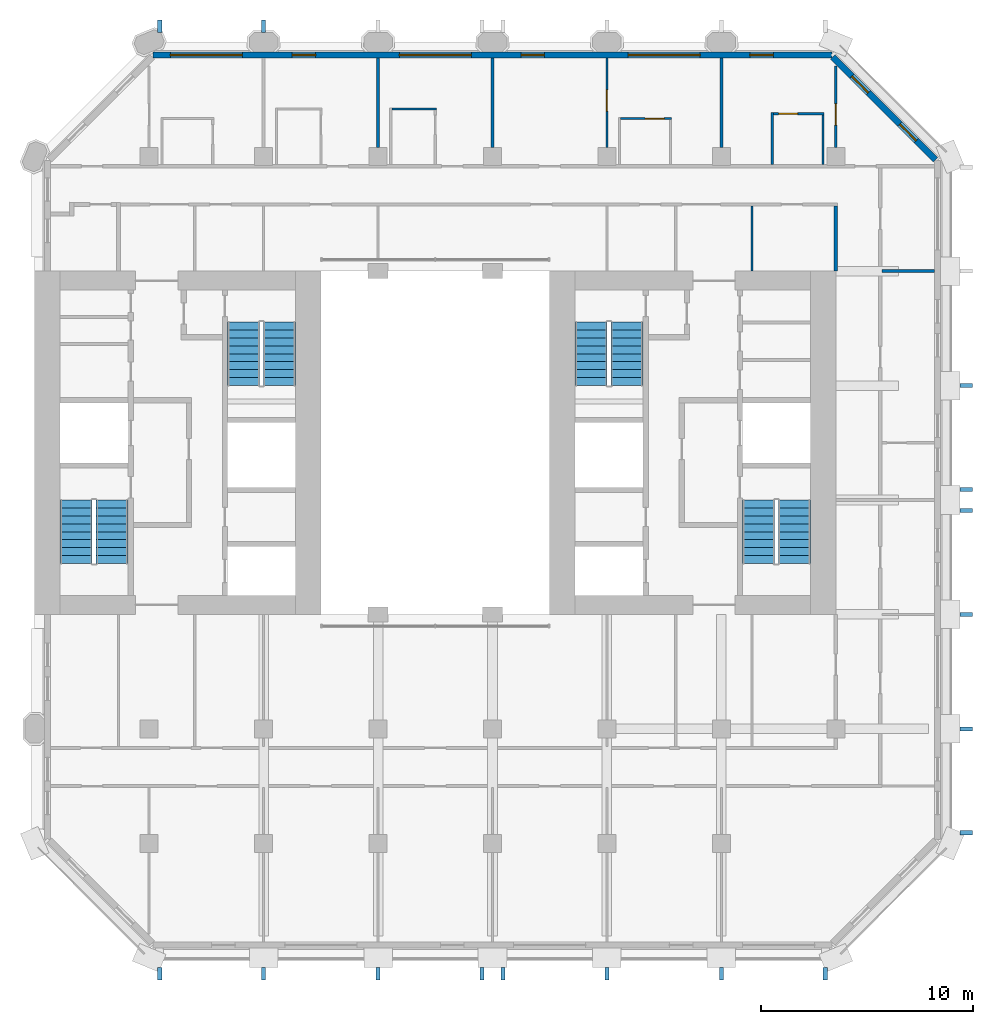
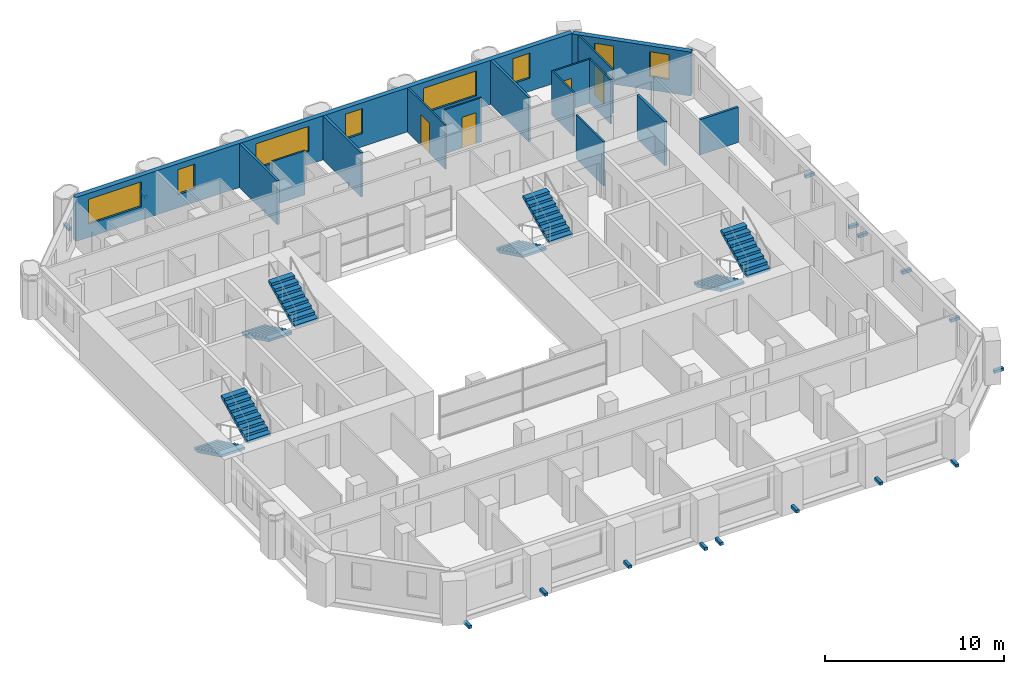
# One storey, part 10 of 13: 16 discrete accessories, 15 walls, 8 stair flights, 8 windows, 4 doors, 12 openings, 4 elements without a shape of their own.
"""IFC4 building model written with IfcOpenShell, lengths in metres."""

from ifc_helpers import new_model, si_unit, direction, frame, frame_2d, origin, origin_2d, place, context, subcontext, project, spatial, polyline, rectangle, outline, extrude, material, layer, layer_set, type_object, element, fill, aggregate, save


model = new_model("IFC4")

# Units and contexts
model_context = context("Model", 3, precision=1e-05, world=origin(), true_north=direction((0.0, 1.0)))
body_context = subcontext(model_context, "Body", "Model", "MODEL_VIEW")
ifc_project = project(units=[si_unit("LENGTHUNIT", "METRE"), si_unit("AREAUNIT", "SQUARE_METRE"), si_unit("VOLUMEUNIT", "CUBIC_METRE"), si_unit("PLANEANGLEUNIT", "RADIAN"), si_unit("MASSUNIT", "GRAM", prefix="KILO")], contexts=[model_context])

# Site, building, storey
site_placement = place(None, origin())
site = spatial("IfcSite", under=ifc_project, at=site_placement, CompositionType="ELEMENT")
building_placement = place(site_placement, origin())
building = spatial("IfcBuilding", under=site, at=building_placement, Name="Tabaq Tower and Sports Hall", CompositionType="ELEMENT")
storey_placement = place(building_placement, frame((0.0, 0.0, 169.300048828125)))
storey = spatial("IfcBuildingStorey", under=building, at=storey_placement, Name="L40", CompositionType="ELEMENT", Elevation=169.300048828125)

# Wall
ifc_material_1 = material(Name="Gypsum board on steel studs", Category="steel")
ifc_layer_1 = layer(ifc_material_1, 0.10009765625)
ifc_layer_set_1 = layer_set([ifc_layer_1], Name="Partition 100 Gypsum board")
wall_type_1 = type_object("IfcWallType", Name="Partition 100 Gypsum board", PredefinedType="PARTITIONING", material=ifc_layer_set_1)
wall_1_placement = place(storey_placement, frame((22.25, 40.050048828125, 0.0), z_axis=(0.0, 0.0, 1.0), x_axis=(1.0, 0.0, 0.0)))
element("IfcWall", 1, at=wall_1_placement, inside=storey, type_object=wall_type_1, Name="Partition wall L40", PredefinedType="PARTITIONING", context=body_context, shape_type="SweptSolid", body=[
    extrude(rectangle(XDim=2.10009765625, YDim=0.10009765625, at=frame_2d((1.050048828125, 0.0))), origin(), (0.0, 0.0, 1.0), 3.0),
])

# Wall, opening, door
wall_2_placement = place(storey_placement, frame((32.39990234375, 42.448974609375, 0.0), z_axis=(0.0, 0.0, 1.0), x_axis=(0.0, -1.0, 0.0)))
wall_2 = element("IfcWall", 2, at=wall_2_placement, inside=storey, type_object=wall_type_1, Name="Partition wall L40", PredefinedType="PARTITIONING", context=body_context, shape_type="SweptSolid", body=[
    extrude(rectangle(XDim=4.203857421875, YDim=0.10009765625, at=frame_2d((2.10205078125, 0.0))), origin(), (0.0, 0.0, 1.0), 3.0),
])
opening_1_placement = place(wall_2_placement, frame((1.4970703125, 0.0, 0.0)))
opening_1 = element("IfcOpeningElement", 3, at=opening_1_placement, cuts=wall_2, Name="Opening L40-032", PredefinedType="OPENING", context=body_context, shape_type="SweptSolid", body=[
    extrude(rectangle(XDim=1.0, YDim=2.10009765625, at=frame_2d((0.5, 1.050048828125))), frame((0.0, 0.050048828125, 0.0), z_axis=(0.0, -1.0, 0.0), x_axis=(1.0, 0.0, 0.0)), (0.0, 0.0, 1.0), 0.10009765625),
])
ifc_material_2 = material(Name="Timber leaf in steel frame", Category="steel")
door_type_1 = type_object("IfcDoorType", Name="Internal door 1000 left hand", OperationType="SINGLE_SWING_LEFT", PredefinedType="DOOR", material=ifc_material_2)
door_1_placement = place(opening_1_placement, origin())
door_1 = element("IfcDoor", 4, at=door_1_placement, inside=storey, type_object=door_type_1, Name="Internal door L40-032", OperationType="SINGLE_SWING_LEFT", OverallHeight=2.10009765625, OverallWidth=1.0, PredefinedType="DOOR", context=body_context, shape_type="SweptSolid", body=[
    extrude(rectangle(XDim=1.0, YDim=2.10009765625, at=frame_2d((0.5, 1.050048828125))), frame((0.0, 0.02490234375, 0.0), z_axis=(0.0, -1.0, 0.0), x_axis=(1.0, 0.0, 0.0)), (0.0, 0.0, 1.0), 0.050048828125),
])
fill(opening_1, door_1)

wall_3_placement = place(storey_placement, frame((33.050048828125, 39.60009765625, 0.0), z_axis=(0.0, 0.0, 1.0), x_axis=(1.0, 0.0, 0.0)))
wall_3 = element("IfcWall", 5, at=wall_3_placement, inside=storey, type_object=wall_type_1, Name="Partition wall L40", PredefinedType="PARTITIONING", context=body_context, shape_type="SweptSolid", body=[
    extrude(rectangle(XDim=2.39990234375, YDim=0.10009765625, at=frame_2d((1.199951171875, 0.0))), origin(), (0.0, 0.0, 1.0), 3.0),
])
opening_2_placement = place(wall_3_placement, frame((1.14990234375, 0.0, 0.0)))
opening_2 = element("IfcOpeningElement", 6, at=opening_2_placement, cuts=wall_3, Name="Opening L40-005", PredefinedType="OPENING", context=body_context, shape_type="SweptSolid", body=[
    extrude(rectangle(XDim=0.89990234375, YDim=2.10009765625, at=frame_2d((0.449951171875, 1.050048828125))), frame((0.0, 0.050048828125, 0.0), z_axis=(0.0, -1.0, 0.0), x_axis=(1.0, 0.0, 0.0)), (0.0, 0.0, 1.0), 0.10009765625),
])
ifc_material_3 = material(Name="Timber leaf in steel frame", Category="steel")
door_type_2 = type_object("IfcDoorType", Name="Internal door 900 left hand", OperationType="SINGLE_SWING_LEFT", PredefinedType="DOOR", material=ifc_material_3)
door_2_placement = place(opening_2_placement, origin())
door_2 = element("IfcDoor", 7, at=door_2_placement, inside=storey, type_object=door_type_2, Name="Internal door L40-005", OperationType="SINGLE_SWING_LEFT", OverallHeight=2.10009765625, OverallWidth=0.89990234375, PredefinedType="DOOR", context=body_context, shape_type="SweptSolid", body=[
    extrude(rectangle(XDim=0.89990234375, YDim=2.10009765625, at=frame_2d((0.449951171875, 1.050048828125))), frame((0.0, 0.02490234375, 0.0), z_axis=(0.0, -1.0, 0.0), x_axis=(1.0, 0.0, 0.0)), (0.0, 0.0, 1.0), 0.050048828125),
])
fill(opening_2, door_2)

# Wall
wall_4_placement = place(storey_placement, frame((40.199951171875, 37.425048828125, 0.0), z_axis=(0.0, 0.0, 1.0), x_axis=(0.0, 1.0, 0.0)))
element("IfcWall", 8, at=wall_4_placement, inside=storey, type_object=wall_type_1, Name="Partition wall L40", PredefinedType="PARTITIONING", context=body_context, shape_type="SweptSolid", body=[
    extrude(rectangle(XDim=2.449951171875, YDim=0.10009765625, at=frame_2d((1.22509765625, 0.0))), origin(), (0.0, 0.0, 1.0), 3.0),
])

# Wall, opening, door
wall_5_placement = place(storey_placement, frame((40.25, 39.824951171875, 0.0), z_axis=(0.0, 0.0, 1.0), x_axis=(1.0, 0.0, 0.0)))
wall_5 = element("IfcWall", 9, at=wall_5_placement, inside=storey, type_object=wall_type_1, Name="Partition wall L40", PredefinedType="PARTITIONING", context=body_context, shape_type="SweptSolid", body=[
    extrude(rectangle(XDim=2.39990234375, YDim=0.10009765625, at=frame_2d((1.199951171875, 0.0))), origin(), (0.0, 0.0, 1.0), 3.0),
])
opening_3_placement = place(wall_5_placement, frame((0.25, 0.0, 0.0)))
opening_3 = element("IfcOpeningElement", 10, at=opening_3_placement, cuts=wall_5, Name="Opening L40-006", PredefinedType="OPENING", context=body_context, shape_type="SweptSolid", body=[
    extrude(rectangle(XDim=0.89990234375, YDim=2.10009765625, at=frame_2d((0.449951171875, 1.050048828125))), frame((0.0, 0.050048828125, 0.0), z_axis=(0.0, -1.0, 0.0), x_axis=(1.0, 0.0, 0.0)), (0.0, 0.0, 1.0), 0.10009765625),
])
ifc_material_4 = material(Name="Timber leaf in steel frame", Category="steel")
door_type_3 = type_object("IfcDoorType", Name="Internal door 900 right hand", OperationType="SINGLE_SWING_RIGHT", PredefinedType="DOOR", material=ifc_material_4)
door_3_placement = place(opening_3_placement, origin())
door_3 = element("IfcDoor", 11, at=door_3_placement, inside=storey, type_object=door_type_3, Name="Internal door L40-006", OperationType="SINGLE_SWING_RIGHT", OverallHeight=2.10009765625, OverallWidth=0.89990234375, PredefinedType="DOOR", context=body_context, shape_type="SweptSolid", body=[
    extrude(rectangle(XDim=0.89990234375, YDim=2.10009765625, at=frame_2d((0.449951171875, 1.050048828125))), frame((0.0, 0.02490234375, 0.0), z_axis=(0.0, -1.0, 0.0), x_axis=(1.0, 0.0, 0.0)), (0.0, 0.0, 1.0), 0.050048828125),
])
fill(opening_3, door_3)

# Wall
wall_6_placement = place(storey_placement, frame((42.60009765625, 39.77490234375, 0.0), z_axis=(0.0, 0.0, 1.0), x_axis=(0.0, -1.0, 0.0)))
element("IfcWall", 12, at=wall_6_placement, inside=storey, type_object=wall_type_1, Name="Partition wall L40", PredefinedType="PARTITIONING", context=body_context, shape_type="SweptSolid", body=[
    extrude(rectangle(XDim=2.349853515625, YDim=0.10009765625, at=frame_2d((1.1748046875, 0.0))), origin(), (0.0, 0.0, 1.0), 3.0),
])

# Wall, opening, door
wall_7_placement = place(storey_placement, frame((43.199951171875, 38.2451171875, 0.0), z_axis=(0.0, 0.0, 1.0), x_axis=(0.0, 1.0, 0.0)))
wall_7 = element("IfcWall", 13, at=wall_7_placement, inside=storey, type_object=wall_type_1, Name="Partition wall L40", PredefinedType="PARTITIONING", context=body_context, shape_type="SweptSolid", body=[
    extrude(rectangle(XDim=3.8427734375, YDim=0.10009765625, at=frame_2d((1.92138671875, 0.0))), origin(), (0.0, 0.0, 1.0), 3.0),
])
opening_4_placement = place(wall_7_placement, frame((1.04248046875, 0.0, 0.0)))
opening_4 = element("IfcOpeningElement", 14, at=opening_4_placement, cuts=wall_7, Name="Opening L40-034", PredefinedType="OPENING", context=body_context, shape_type="SweptSolid", body=[
    extrude(rectangle(XDim=1.0, YDim=2.10009765625, at=frame_2d((0.5, 1.050048828125))), frame((0.0, 0.050048828125, 0.0), z_axis=(0.0, -1.0, 0.0), x_axis=(1.0, 0.0, 0.0)), (0.0, 0.0, 1.0), 0.10009765625),
])
ifc_material_5 = material(Name="Timber leaf in steel frame", Category="steel")
door_type_4 = type_object("IfcDoorType", Name="Internal door 1000 right hand", OperationType="SINGLE_SWING_RIGHT", PredefinedType="DOOR", material=ifc_material_5)
door_4_placement = place(opening_4_placement, origin())
door_4 = element("IfcDoor", 15, at=door_4_placement, inside=storey, type_object=door_type_4, Name="Internal door L40-034", OperationType="SINGLE_SWING_RIGHT", OverallHeight=2.10009765625, OverallWidth=1.0, PredefinedType="DOOR", context=body_context, shape_type="SweptSolid", body=[
    extrude(rectangle(XDim=1.0, YDim=2.10009765625, at=frame_2d((0.5, 1.050048828125))), frame((0.0, 0.02490234375, 0.0), z_axis=(0.0, -1.0, 0.0), x_axis=(1.0, 0.0, 0.0)), (0.0, 0.0, 1.0), 0.050048828125),
])
fill(opening_4, door_4)

# Walls
wall_8_placement = place(storey_placement, frame((39.25, 32.39990234375, 0.0), z_axis=(0.0, 0.0, 1.0), x_axis=(0.0, 1.0, 0.0)))
element("IfcWall", 16, at=wall_8_placement, inside=storey, type_object=wall_type_1, Name="Partition wall L40", PredefinedType="PARTITIONING", context=body_context, shape_type="SweptSolid", body=[
    extrude(rectangle(XDim=3.0751953125, YDim=0.10009765625, at=frame_2d((1.53759765625, 0.0))), origin(), (0.0, 0.0, 1.0), 3.0),
])
ifc_material_6 = material(Name="Blockwork", Category="masonry")
ifc_layer_2 = layer(ifc_material_6, 0.14990234375)
ifc_layer_set_2 = layer_set([ifc_layer_2], Name="Separating wall 150 Blockwork")
wall_type_2 = type_object("IfcWallType", Name="Separating wall 150 Blockwork", PredefinedType="PARTITIONING", material=ifc_layer_set_2)
wall_9_placement = place(storey_placement, frame((45.375, 32.39990234375, 0.0), z_axis=(0.0, 0.0, 1.0), x_axis=(1.0, 0.0, 0.0)))
element("IfcWall", 17, at=wall_9_placement, inside=storey, type_object=wall_type_2, Name="Separating wall L40", PredefinedType="PARTITIONING", context=body_context, shape_type="SweptSolid", body=[
    extrude(rectangle(XDim=2.47412109375, YDim=0.14990234375, at=frame_2d((1.237060546875, 0.0))), origin(), (0.0, 0.0, 1.0), 2.39990234375),
])
for number, where, z_axis, x_axis, name in (
    (18, (21.60009765625, 38.2451171875, 0.0), (0.0, 0.0, 1.0), (0.0, 1.0, 0.0), "Separating wall L40"),
    (19, (27.0, 38.2451171875, 0.0), (0.0, 0.0, 1.0), (0.0, 1.0, 0.0), "Separating wall L40"),
    (20, (37.800048828125, 38.2451171875, 0.0), (0.0, 0.0, 1.0), (0.0, 1.0, 0.0), "Separating wall L40"),
):
    element("IfcWall", number, at=place(storey_placement, frame(where, z_axis=z_axis, x_axis=x_axis)), inside=storey, type_object=wall_type_2, Name=name, PredefinedType="PARTITIONING", context=body_context, shape_type="SweptSolid", body=[
        extrude(rectangle(XDim=4.203857421875, YDim=0.14990234375, at=frame_2d((2.10205078125, 0.0))), origin(), (0.0, 0.0, 1.0), 3.0),
    ])
wall_10_placement = place(storey_placement, frame((43.199951171875, 35.47509765625, 0.0), z_axis=(0.0, 0.0, 1.0), x_axis=(0.0, -1.0, 0.0)))
element("IfcWall", 21, at=wall_10_placement, inside=storey, type_object=wall_type_2, Name="Separating wall L40", PredefinedType="PARTITIONING", context=body_context, shape_type="SweptSolid", body=[
    extrude(rectangle(XDim=3.0751953125, YDim=0.14990234375, at=frame_2d((1.53759765625, 0.0))), origin(), (0.0, 0.0, 1.0), 3.0),
])

# Wall, openings, windows
ifc_material_7 = material(Name="White precast concrete C60/75", Category="concrete")
ifc_layer_3 = layer(ifc_material_7, 0.300048828125)
ifc_layer_set_3 = layer_set([ifc_layer_3], Name="White precast concrete C60/75 external wall 300")
wall_type_3 = type_object("IfcWallType", Name="White precast concrete C60/75 external wall 300", PredefinedType="SOLIDWALL", material=ifc_layer_set_3)
wall_11_placement = place(storey_placement, frame((47.901123046875, 37.650390625, 0.0), z_axis=(0.0, 0.0, 1.0), x_axis=(-0.707106781187, 0.707106781187, 0.0)))
wall_11 = element("IfcWall", 22, at=wall_11_placement, inside=storey, type_object=wall_type_3, Name="External Wall L40 NE", PredefinedType="SOLIDWALL", context=body_context, shape_type="SweptSolid", body=[
    extrude(rectangle(XDim=6.85986328125, YDim=0.300048828125, at=frame_2d((3.429931640625, 0.0))), origin(), (0.0, 0.0, 1.0), 3.0),
])
opening_5_placement = place(wall_11_placement, frame((1.27978515625, 0.0, 0.89990234375)))
opening_5 = element("IfcOpeningElement", 23, at=opening_5_placement, cuts=wall_11, Name="Opening W1B", PredefinedType="OPENING", context=body_context, shape_type="SweptSolid", body=[
    extrude(rectangle(XDim=1.10009765625, YDim=1.699951171875, at=frame_2d((0.550048828125, 0.85009765625))), frame((0.0, 0.16015625, 0.0), z_axis=(0.0, -1.0, 0.0), x_axis=(1.0, 0.0, 0.0)), (0.0, 0.0, 1.0), 0.320068359375),
])
opening_6_placement = place(wall_11_placement, frame((4.479736328125, 0.0, 0.89990234375)))
opening_6 = element("IfcOpeningElement", 24, at=opening_6_placement, cuts=wall_11, Name="Opening W1B", PredefinedType="OPENING", context=body_context, shape_type="SweptSolid", body=[
    extrude(rectangle(XDim=1.10009765625, YDim=1.699951171875, at=frame_2d((0.550048828125, 0.85009765625))), frame((0.0, 0.16015625, 0.0), z_axis=(0.0, -1.0, 0.0), x_axis=(1.0, 0.0, 0.0)), (0.0, 0.0, 1.0), 0.320068359375),
])
ifc_material_8 = material(Name="Aluminium framed clear glazing", Category="aluminium")
window_type_1 = type_object("IfcWindowType", Name="Window W1B", PartitioningType="SINGLE_PANEL", PredefinedType="WINDOW", material=ifc_material_8)
window_1_placement = place(opening_5_placement, origin())
window_1 = element("IfcWindow", 25, at=window_1_placement, inside=storey, type_object=window_type_1, Name="Window W1B L40", OverallHeight=1.699951171875, OverallWidth=1.10009765625, PartitioningType="SINGLE_PANEL", PredefinedType="WINDOW", context=body_context, shape_type="SweptSolid", body=[
    extrude(rectangle(XDim=1.10009765625, YDim=1.699951171875, at=frame_2d((0.550048828125, 0.85009765625))), frame((0.0, 0.030029296875, 0.0), z_axis=(0.0, -1.0, 0.0), x_axis=(1.0, 0.0, 0.0)), (0.0, 0.0, 1.0), 0.06005859375),
])
fill(opening_5, window_1)
window_2_placement = place(opening_6_placement, origin())
window_2 = element("IfcWindow", 26, at=window_2_placement, inside=storey, type_object=window_type_1, Name="Window W1B L40", OverallHeight=1.699951171875, OverallWidth=1.10009765625, PartitioningType="SINGLE_PANEL", PredefinedType="WINDOW", context=body_context, shape_type="SweptSolid", body=[
    extrude(rectangle(XDim=1.10009765625, YDim=1.699951171875, at=frame_2d((0.550048828125, 0.85009765625))), frame((0.0, 0.030029296875, 0.0), z_axis=(0.0, -1.0, 0.0), x_axis=(1.0, 0.0, 0.0)), (0.0, 0.0, 1.0), 0.06005859375),
])
fill(opening_6, window_2)

wall_12_placement = place(storey_placement, frame((43.013671875, 42.60009765625, 0.0), z_axis=(0.0, 0.0, 1.0), x_axis=(-1.0, 0.0, 0.0)))
wall_12 = element("IfcWall", 27, at=wall_12_placement, inside=storey, type_object=wall_type_3, Name="External Wall L40 N", PredefinedType="SOLIDWALL", context=body_context, shape_type="SweptSolid", body=[
    extrude(rectangle(XDim=32.02734375, YDim=0.300048828125, at=frame_2d((16.013671875, 0.0))), origin(), (0.0, 0.0, 1.0), 3.0),
])
opening_7_placement = place(wall_12_placement, frame((2.763671875, 0.0, 0.89990234375)))
opening_7 = element("IfcOpeningElement", 28, at=opening_7_placement, cuts=wall_12, Name="Opening W1B", PredefinedType="OPENING", context=body_context, shape_type="SweptSolid", body=[
    extrude(rectangle(XDim=1.10009765625, YDim=1.699951171875, at=frame_2d((0.550048828125, 0.85009765625))), frame((0.0, 0.16015625, 0.0), z_axis=(0.0, -1.0, 0.0), x_axis=(1.0, 0.0, 0.0)), (0.0, 0.0, 1.0), 0.320068359375),
])
opening_8_placement = place(wall_12_placement, frame((6.213623046875, 0.0, 0.89990234375)))
opening_8 = element("IfcOpeningElement", 29, at=opening_8_placement, cuts=wall_12, Name="Opening W1A", PredefinedType="OPENING", context=body_context, shape_type="SweptSolid", body=[
    extrude(rectangle(XDim=3.39990234375, YDim=1.699951171875, at=frame_2d((1.699951171875, 0.85009765625))), frame((0.0, 0.16015625, 0.0), z_axis=(0.0, -1.0, 0.0), x_axis=(1.0, 0.0, 0.0)), (0.0, 0.0, 1.0), 0.320068359375),
])
opening_9_placement = place(wall_12_placement, frame((13.563720703125, 0.0, 0.89990234375)))
opening_9 = element("IfcOpeningElement", 30, at=opening_9_placement, cuts=wall_12, Name="Opening W1B", PredefinedType="OPENING", context=body_context, shape_type="SweptSolid", body=[
    extrude(rectangle(XDim=1.10009765625, YDim=1.699951171875, at=frame_2d((0.550048828125, 0.85009765625))), frame((0.0, 0.16015625, 0.0), z_axis=(0.0, -1.0, 0.0), x_axis=(1.0, 0.0, 0.0)), (0.0, 0.0, 1.0), 0.320068359375),
])
opening_10_placement = place(wall_12_placement, frame((17.013671875, 0.0, 0.89990234375)))
opening_10 = element("IfcOpeningElement", 31, at=opening_10_placement, cuts=wall_12, Name="Opening W1A", PredefinedType="OPENING", context=body_context, shape_type="SweptSolid", body=[
    extrude(rectangle(XDim=3.39990234375, YDim=1.699951171875, at=frame_2d((1.699951171875, 0.85009765625))), frame((0.0, 0.16015625, 0.0), z_axis=(0.0, -1.0, 0.0), x_axis=(1.0, 0.0, 0.0)), (0.0, 0.0, 1.0), 0.320068359375),
])
opening_11_placement = place(wall_12_placement, frame((24.363525390625, 0.0, 0.89990234375)))
opening_11 = element("IfcOpeningElement", 32, at=opening_11_placement, cuts=wall_12, Name="Opening W1B", PredefinedType="OPENING", context=body_context, shape_type="SweptSolid", body=[
    extrude(rectangle(XDim=1.10009765625, YDim=1.699951171875, at=frame_2d((0.550048828125, 0.85009765625))), frame((0.0, 0.16015625, 0.0), z_axis=(0.0, -1.0, 0.0), x_axis=(1.0, 0.0, 0.0)), (0.0, 0.0, 1.0), 0.320068359375),
])
opening_12_placement = place(wall_12_placement, frame((27.813720703125, 0.0, 0.89990234375)))
opening_12 = element("IfcOpeningElement", 33, at=opening_12_placement, cuts=wall_12, Name="Opening W1A", PredefinedType="OPENING", context=body_context, shape_type="SweptSolid", body=[
    extrude(rectangle(XDim=3.39990234375, YDim=1.699951171875, at=frame_2d((1.699951171875, 0.85009765625))), frame((0.0, 0.16015625, 0.0), z_axis=(0.0, -1.0, 0.0), x_axis=(1.0, 0.0, 0.0)), (0.0, 0.0, 1.0), 0.320068359375),
])
ifc_material_9 = material(Name="Aluminium framed clear glazing", Category="aluminium")
window_type_2 = type_object("IfcWindowType", Name="Window W1A", PartitioningType="SINGLE_PANEL", PredefinedType="WINDOW", material=ifc_material_9)
window_3_placement = place(opening_8_placement, origin())
window_3 = element("IfcWindow", 34, at=window_3_placement, inside=storey, type_object=window_type_2, Name="Window W1A L40", OverallHeight=1.699951171875, OverallWidth=3.39990234375, PartitioningType="SINGLE_PANEL", PredefinedType="WINDOW", context=body_context, shape_type="SweptSolid", body=[
    extrude(rectangle(XDim=3.39990234375, YDim=1.699951171875, at=frame_2d((1.699951171875, 0.85009765625))), frame((0.0, 0.030029296875, 0.0), z_axis=(0.0, -1.0, 0.0), x_axis=(1.0, 0.0, 0.0)), (0.0, 0.0, 1.0), 0.06005859375),
])
fill(opening_8, window_3)
window_4_placement = place(opening_10_placement, origin())
window_4 = element("IfcWindow", 35, at=window_4_placement, inside=storey, type_object=window_type_2, Name="Window W1A L40", OverallHeight=1.699951171875, OverallWidth=3.39990234375, PartitioningType="SINGLE_PANEL", PredefinedType="WINDOW", context=body_context, shape_type="SweptSolid", body=[
    extrude(rectangle(XDim=3.39990234375, YDim=1.699951171875, at=frame_2d((1.699951171875, 0.85009765625))), frame((0.0, 0.030029296875, 0.0), z_axis=(0.0, -1.0, 0.0), x_axis=(1.0, 0.0, 0.0)), (0.0, 0.0, 1.0), 0.06005859375),
])
fill(opening_10, window_4)
window_5_placement = place(opening_12_placement, origin())
window_5 = element("IfcWindow", 36, at=window_5_placement, inside=storey, type_object=window_type_2, Name="Window W1A L40", OverallHeight=1.699951171875, OverallWidth=3.39990234375, PartitioningType="SINGLE_PANEL", PredefinedType="WINDOW", context=body_context, shape_type="SweptSolid", body=[
    extrude(rectangle(XDim=3.39990234375, YDim=1.699951171875, at=frame_2d((1.699951171875, 0.85009765625))), frame((0.0, 0.030029296875, 0.0), z_axis=(0.0, -1.0, 0.0), x_axis=(1.0, 0.0, 0.0)), (0.0, 0.0, 1.0), 0.06005859375),
])
fill(opening_12, window_5)
window_6_placement = place(opening_7_placement, origin())
window_6 = element("IfcWindow", 37, at=window_6_placement, inside=storey, type_object=window_type_1, Name="Window W1B L40", OverallHeight=1.699951171875, OverallWidth=1.10009765625, PartitioningType="SINGLE_PANEL", PredefinedType="WINDOW", context=body_context, shape_type="SweptSolid", body=[
    extrude(rectangle(XDim=1.10009765625, YDim=1.699951171875, at=frame_2d((0.550048828125, 0.85009765625))), frame((0.0, 0.030029296875, 0.0), z_axis=(0.0, -1.0, 0.0), x_axis=(1.0, 0.0, 0.0)), (0.0, 0.0, 1.0), 0.06005859375),
])
fill(opening_7, window_6)
window_7_placement = place(opening_9_placement, origin())
window_7 = element("IfcWindow", 38, at=window_7_placement, inside=storey, type_object=window_type_1, Name="Window W1B L40", OverallHeight=1.699951171875, OverallWidth=1.10009765625, PartitioningType="SINGLE_PANEL", PredefinedType="WINDOW", context=body_context, shape_type="SweptSolid", body=[
    extrude(rectangle(XDim=1.10009765625, YDim=1.699951171875, at=frame_2d((0.550048828125, 0.85009765625))), frame((0.0, 0.030029296875, 0.0), z_axis=(0.0, -1.0, 0.0), x_axis=(1.0, 0.0, 0.0)), (0.0, 0.0, 1.0), 0.06005859375),
])
fill(opening_9, window_7)
window_8_placement = place(opening_11_placement, origin())
window_8 = element("IfcWindow", 39, at=window_8_placement, inside=storey, type_object=window_type_1, Name="Window W1B L40", OverallHeight=1.699951171875, OverallWidth=1.10009765625, PartitioningType="SINGLE_PANEL", PredefinedType="WINDOW", context=body_context, shape_type="SweptSolid", body=[
    extrude(rectangle(XDim=1.10009765625, YDim=1.699951171875, at=frame_2d((0.550048828125, 0.85009765625))), frame((0.0, 0.030029296875, 0.0), z_axis=(0.0, -1.0, 0.0), x_axis=(1.0, 0.0, 0.0)), (0.0, 0.0, 1.0), 0.06005859375),
])
fill(opening_11, window_8)

# Stair, stair flights
ifc_material_10 = material(Name="Concrete C40/50", Category="concrete")
stair_type = type_object("IfcStairType", Name="Exit stair", PredefinedType="HALF_TURN_STAIR", material=ifc_material_10)
stair_1_placement = place(storey_placement, origin())
stair_1 = element("IfcStair", 40, at=stair_1_placement, inside=storey, type_object=stair_type, Name="L40 Exit stair ST1", PredefinedType="HALF_TURN_STAIR")
ifc_material_11 = material(Name="Concrete C40/50", Category="concrete")
stair_flight_type = type_object("IfcStairFlightType", Name="Exit stair flight", PredefinedType="STRAIGHT", material=ifc_material_11)
stair_flight_1_placement = place(storey_placement, frame((7.35009765625, 21.60009765625, 0.0), z_axis=(0.0, 0.0, 1.0), x_axis=(0.0, -1.0, 0.0)))
stair_flight_1 = element("IfcStairFlight", 41, at=stair_flight_1_placement, type_object=stair_flight_type, Name="ST1 flight 1", NumberOfRisers=9, NumberOfTreads=8, PredefinedType="STRAIGHT", RiserHeight=0.183333333, TreadLength=0.375, context=body_context, shape_type="SweptSolid", body=[
    extrude(outline(polyline([(0.0, 0.0), (0.0, 0.183349609375), (0.375, 0.183349609375), (0.375, 0.36669921875), (0.75, 0.36669921875), (0.75, 0.550048828125), (1.125, 0.550048828125), (1.125, 0.7333984375), (1.5, 0.7333984375), (1.5, 0.916748046875), (1.875, 0.916748046875), (1.875, 1.10009765625), (2.25, 1.10009765625), (2.25, 1.283447265625), (2.625, 1.283447265625), (2.625, 1.466552734375), (3.0, 1.466552734375), (3.0, 1.64990234375), (3.0, 1.2998046875), (0.34130859375, 0.0), (0.0, 0.0)])), frame((0.0, 0.75, 0.0), z_axis=(0.0, -1.0, 0.0), x_axis=(1.0, 0.0, 0.0)), (0.0, 0.0, 1.0), 1.5),
])
stair_flight_2_placement = place(storey_placement, frame((9.050048828125, 18.60009765625, 1.64990234375), z_axis=(0.0, 0.0, 1.0), x_axis=(0.0, 1.0, 0.0)))
stair_flight_2 = element("IfcStairFlight", 42, at=stair_flight_2_placement, type_object=stair_flight_type, Name="ST1 flight 2", NumberOfRisers=9, NumberOfTreads=8, PredefinedType="STRAIGHT", RiserHeight=0.183333333, TreadLength=0.375, context=body_context, shape_type="SweptSolid", body=[
    extrude(outline(polyline([(0.0, 0.0), (0.0, 0.183349609375), (0.375, 0.183349609375), (0.375, 0.36669921875), (0.75, 0.36669921875), (0.75, 0.550048828125), (1.125, 0.550048828125), (1.125, 0.7333984375), (1.5, 0.7333984375), (1.5, 0.916748046875), (1.875, 0.916748046875), (1.875, 1.10009765625), (2.25, 1.10009765625), (2.25, 1.283447265625), (2.625, 1.283447265625), (2.625, 1.466552734375), (3.0, 1.466552734375), (3.0, 1.64990234375), (3.0, 1.2998046875), (0.34130859375, 0.0), (0.0, 0.0)])), frame((0.0, 0.75, 0.0), z_axis=(0.0, -1.0, 0.0), x_axis=(1.0, 0.0, 0.0)), (0.0, 0.0, 1.0), 1.5),
])
aggregate(stair_1, [stair_flight_1, stair_flight_2])

stair_2_placement = place(storey_placement, origin())
stair_2 = element("IfcStair", 43, at=stair_2_placement, inside=storey, type_object=stair_type, Name="L40 Exit stair ST2", PredefinedType="HALF_TURN_STAIR")
stair_flight_3_placement = place(storey_placement, frame((15.25, 30.0, 0.0), z_axis=(0.0, 0.0, 1.0), x_axis=(0.0, -1.0, 0.0)))
stair_flight_3 = element("IfcStairFlight", 44, at=stair_flight_3_placement, type_object=stair_flight_type, Name="ST2 flight 1", NumberOfRisers=9, NumberOfTreads=8, PredefinedType="STRAIGHT", RiserHeight=0.183333333, TreadLength=0.375, context=body_context, shape_type="SweptSolid", body=[
    extrude(outline(polyline([(0.0, 0.0), (0.0, 0.183349609375), (0.375, 0.183349609375), (0.375, 0.36669921875), (0.75, 0.36669921875), (0.75, 0.550048828125), (1.125, 0.550048828125), (1.125, 0.7333984375), (1.5, 0.7333984375), (1.5, 0.916748046875), (1.875, 0.916748046875), (1.875, 1.10009765625), (2.25, 1.10009765625), (2.25, 1.283447265625), (2.625, 1.283447265625), (2.625, 1.466552734375), (3.0, 1.466552734375), (3.0, 1.64990234375), (3.0, 1.2998046875), (0.34130859375, 0.0), (0.0, 0.0)])), frame((0.0, 0.75, 0.0), z_axis=(0.0, -1.0, 0.0), x_axis=(1.0, 0.0, 0.0)), (0.0, 0.0, 1.0), 1.5),
])
stair_flight_4_placement = place(storey_placement, frame((16.949951171875, 27.0, 1.64990234375), z_axis=(0.0, 0.0, 1.0), x_axis=(0.0, 1.0, 0.0)))
stair_flight_4 = element("IfcStairFlight", 45, at=stair_flight_4_placement, type_object=stair_flight_type, Name="ST2 flight 2", NumberOfRisers=9, NumberOfTreads=8, PredefinedType="STRAIGHT", RiserHeight=0.183333333, TreadLength=0.375, context=body_context, shape_type="SweptSolid", body=[
    extrude(outline(polyline([(0.0, 0.0), (0.0, 0.183349609375), (0.375, 0.183349609375), (0.375, 0.36669921875), (0.75, 0.36669921875), (0.75, 0.550048828125), (1.125, 0.550048828125), (1.125, 0.7333984375), (1.5, 0.7333984375), (1.5, 0.916748046875), (1.875, 0.916748046875), (1.875, 1.10009765625), (2.25, 1.10009765625), (2.25, 1.283447265625), (2.625, 1.283447265625), (2.625, 1.466552734375), (3.0, 1.466552734375), (3.0, 1.64990234375), (3.0, 1.2998046875), (0.34130859375, 0.0), (0.0, 0.0)])), frame((0.0, 0.75, 0.0), z_axis=(0.0, -1.0, 0.0), x_axis=(1.0, 0.0, 0.0)), (0.0, 0.0, 1.0), 1.5),
])
aggregate(stair_2, [stair_flight_3, stair_flight_4])

stair_3_placement = place(storey_placement, origin())
stair_3 = element("IfcStair", 46, at=stair_3_placement, inside=storey, type_object=stair_type, Name="L40 Exit stair ST3", PredefinedType="HALF_TURN_STAIR")
stair_flight_5_placement = place(storey_placement, frame((39.550048828125, 21.60009765625, 0.0), z_axis=(0.0, 0.0, 1.0), x_axis=(0.0, -1.0, 0.0)))
stair_flight_5 = element("IfcStairFlight", 47, at=stair_flight_5_placement, type_object=stair_flight_type, Name="ST3 flight 1", NumberOfRisers=9, NumberOfTreads=8, PredefinedType="STRAIGHT", RiserHeight=0.183333333, TreadLength=0.375, context=body_context, shape_type="SweptSolid", body=[
    extrude(outline(polyline([(0.0, 0.0), (0.0, 0.183349609375), (0.375, 0.183349609375), (0.375, 0.36669921875), (0.75, 0.36669921875), (0.75, 0.550048828125), (1.125, 0.550048828125), (1.125, 0.7333984375), (1.5, 0.7333984375), (1.5, 0.916748046875), (1.875, 0.916748046875), (1.875, 1.10009765625), (2.25, 1.10009765625), (2.25, 1.283447265625), (2.625, 1.283447265625), (2.625, 1.466552734375), (3.0, 1.466552734375), (3.0, 1.64990234375), (3.0, 1.2998046875), (0.34130859375, 0.0), (0.0, 0.0)])), frame((0.0, 0.75, 0.0), z_axis=(0.0, -1.0, 0.0), x_axis=(1.0, 0.0, 0.0)), (0.0, 0.0, 1.0), 1.5),
])
stair_flight_6_placement = place(storey_placement, frame((41.25, 18.60009765625, 1.64990234375), z_axis=(0.0, 0.0, 1.0), x_axis=(0.0, 1.0, 0.0)))
stair_flight_6 = element("IfcStairFlight", 48, at=stair_flight_6_placement, type_object=stair_flight_type, Name="ST3 flight 2", NumberOfRisers=9, NumberOfTreads=8, PredefinedType="STRAIGHT", RiserHeight=0.183333333, TreadLength=0.375, context=body_context, shape_type="SweptSolid", body=[
    extrude(outline(polyline([(0.0, 0.0), (0.0, 0.183349609375), (0.375, 0.183349609375), (0.375, 0.36669921875), (0.75, 0.36669921875), (0.75, 0.550048828125), (1.125, 0.550048828125), (1.125, 0.7333984375), (1.5, 0.7333984375), (1.5, 0.916748046875), (1.875, 0.916748046875), (1.875, 1.10009765625), (2.25, 1.10009765625), (2.25, 1.283447265625), (2.625, 1.283447265625), (2.625, 1.466552734375), (3.0, 1.466552734375), (3.0, 1.64990234375), (3.0, 1.2998046875), (0.34130859375, 0.0), (0.0, 0.0)])), frame((0.0, 0.75, 0.0), z_axis=(0.0, -1.0, 0.0), x_axis=(1.0, 0.0, 0.0)), (0.0, 0.0, 1.0), 1.5),
])
aggregate(stair_3, [stair_flight_5, stair_flight_6])

stair_4_placement = place(storey_placement, origin())
stair_4 = element("IfcStair", 49, at=stair_4_placement, inside=storey, type_object=stair_type, Name="L40 Exit stair ST4", PredefinedType="HALF_TURN_STAIR")
stair_flight_7_placement = place(storey_placement, frame((31.64990234375, 30.0, 0.0), z_axis=(0.0, 0.0, 1.0), x_axis=(0.0, -1.0, 0.0)))
stair_flight_7 = element("IfcStairFlight", 50, at=stair_flight_7_placement, type_object=stair_flight_type, Name="ST4 flight 1", NumberOfRisers=9, NumberOfTreads=8, PredefinedType="STRAIGHT", RiserHeight=0.183333333, TreadLength=0.375, context=body_context, shape_type="SweptSolid", body=[
    extrude(outline(polyline([(0.0, 0.0), (0.0, 0.183349609375), (0.375, 0.183349609375), (0.375, 0.36669921875), (0.75, 0.36669921875), (0.75, 0.550048828125), (1.125, 0.550048828125), (1.125, 0.7333984375), (1.5, 0.7333984375), (1.5, 0.916748046875), (1.875, 0.916748046875), (1.875, 1.10009765625), (2.25, 1.10009765625), (2.25, 1.283447265625), (2.625, 1.283447265625), (2.625, 1.466552734375), (3.0, 1.466552734375), (3.0, 1.64990234375), (3.0, 1.2998046875), (0.34130859375, 0.0), (0.0, 0.0)])), frame((0.0, 0.75, 0.0), z_axis=(0.0, -1.0, 0.0), x_axis=(1.0, 0.0, 0.0)), (0.0, 0.0, 1.0), 1.5),
])
stair_flight_8_placement = place(storey_placement, frame((33.35009765625, 27.0, 1.64990234375), z_axis=(0.0, 0.0, 1.0), x_axis=(0.0, 1.0, 0.0)))
stair_flight_8 = element("IfcStairFlight", 51, at=stair_flight_8_placement, type_object=stair_flight_type, Name="ST4 flight 2", NumberOfRisers=9, NumberOfTreads=8, PredefinedType="STRAIGHT", RiserHeight=0.183333333, TreadLength=0.375, context=body_context, shape_type="SweptSolid", body=[
    extrude(outline(polyline([(0.0, 0.0), (0.0, 0.183349609375), (0.375, 0.183349609375), (0.375, 0.36669921875), (0.75, 0.36669921875), (0.75, 0.550048828125), (1.125, 0.550048828125), (1.125, 0.7333984375), (1.5, 0.7333984375), (1.5, 0.916748046875), (1.875, 0.916748046875), (1.875, 1.10009765625), (2.25, 1.10009765625), (2.25, 1.283447265625), (2.625, 1.283447265625), (2.625, 1.466552734375), (3.0, 1.466552734375), (3.0, 1.64990234375), (3.0, 1.2998046875), (0.34130859375, 0.0), (0.0, 0.0)])), frame((0.0, 0.75, 0.0), z_axis=(0.0, -1.0, 0.0), x_axis=(1.0, 0.0, 0.0)), (0.0, 0.0, 1.0), 1.5),
])
aggregate(stair_4, [stair_flight_7, stair_flight_8])

# Discrete accessories
for number, where, z_axis, x_axis, name in (
    (52, (11.300048828125, -0.75, -0.10009765625), (0.0, 0.0, 1.0), (0.0, -1.0, 0.0), "Stainless steel bracket"),
    (53, (16.199951171875, -0.75, 0.39990234375), (0.0, 0.0, 1.0), (0.0, -1.0, 0.0), "Stainless steel bracket"),
    (54, (21.60009765625, -0.75, 0.39990234375), (0.0, 0.0, 1.0), (0.0, -1.0, 0.0), "Stainless steel bracket"),
    (55, (26.5, -0.75, -0.10009765625), (0.0, 0.0, 1.0), (0.0, -1.0, 0.0), "Stainless steel bracket"),
    (56, (27.5, -0.75, -0.10009765625), (0.0, 0.0, 1.0), (0.0, -1.0, 0.0), "Stainless steel bracket"),
    (57, (32.39990234375, -0.75, 0.39990234375), (0.0, 0.0, 1.0), (0.0, -1.0, 0.0), "Stainless steel bracket"),
    (58, (37.800048828125, -0.75, 0.39990234375), (0.0, 0.0, 1.0), (0.0, -1.0, 0.0), "Stainless steel bracket"),
    (59, (42.699951171875, -0.75, -0.10009765625), (0.0, 0.0, 1.0), (0.0, -1.0, 0.0), "Stainless steel bracket"),
    (60, (49.35009765625, 5.89990234375, -0.10009765625), (0.0, 0.0, 1.0), (1.0, 0.0, 0.0), "Stainless steel bracket"),
    (61, (49.35009765625, 10.800048828125, 0.39990234375), (0.0, 0.0, 1.0), (1.0, 0.0, 0.0), "Stainless steel bracket"),
    (62, (49.35009765625, 16.199951171875, 0.39990234375), (0.0, 0.0, 1.0), (1.0, 0.0, 0.0), "Stainless steel bracket"),
    (63, (49.35009765625, 21.10009765625, -0.10009765625), (0.0, 0.0, 1.0), (1.0, 0.0, 0.0), "Stainless steel bracket"),
    (64, (49.35009765625, 22.10009765625, -0.10009765625), (0.0, 0.0, 1.0), (1.0, 0.0, 0.0), "Stainless steel bracket"),
    (65, (49.35009765625, 27.0, 0.39990234375), (0.0, 0.0, 1.0), (1.0, 0.0, 0.0), "Stainless steel bracket"),
    (66, (16.199951171875, 43.949951171875, 0.39990234375), (0.0, 0.0, 1.0), (0.0, 1.0, 0.0), "Stainless steel bracket"),
    (67, (11.300048828125, 43.949951171875, -0.10009765625), (0.0, 0.0, 1.0), (0.0, 1.0, 0.0), "Stainless steel bracket"),
):
    element("IfcDiscreteAccessory", number, at=place(storey_placement, frame(where, z_axis=z_axis, x_axis=x_axis)), inside=storey, Name=name, PredefinedType="BRACKET", context=body_context, shape_type="SweptSolid", body=[
        extrude(rectangle(XDim=0.60009765625, YDim=0.199951171875, at=origin_2d()), origin(), (0.0, 0.0, 1.0), 0.199951171875),
    ])

save(model, "model.ifc")
